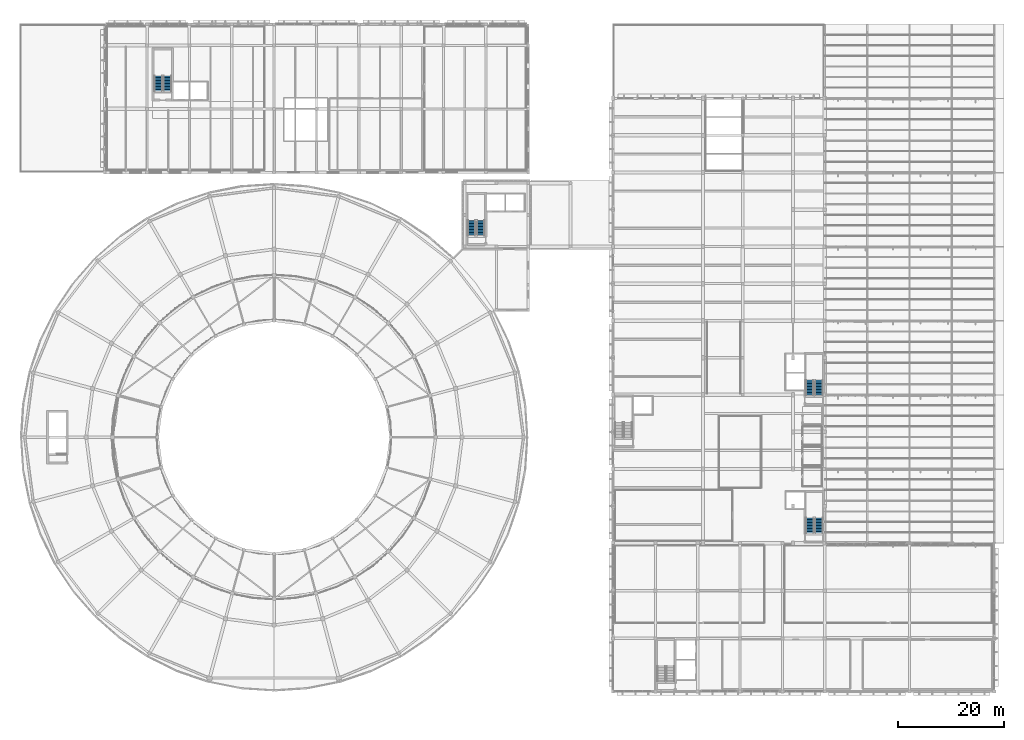
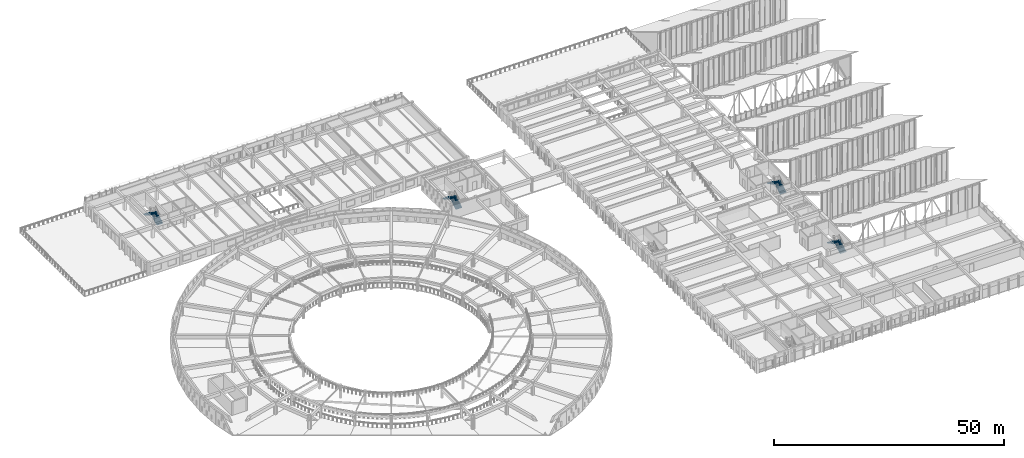
# One storey, part 126 of 155: 8 stair flights, 4 elements without a shape of their own.
"""IFC4 building model written with IfcOpenShell, lengths in metres."""

from ifc_helpers import new_model, si_unit, direction, frame, origin, place, context, subcontext, project, spatial, polyline, outline, extrude, material, type_object, element, aggregate, save


model = new_model("IFC4")

# Units and contexts
model_context = context("Model", 3, precision=1e-05, world=origin(), true_north=direction((0.0, 1.0)))
body_context = subcontext(model_context, "Body", "Model", "MODEL_VIEW")
ifc_project = project(units=[si_unit("LENGTHUNIT", "METRE"), si_unit("AREAUNIT", "SQUARE_METRE"), si_unit("VOLUMEUNIT", "CUBIC_METRE"), si_unit("PLANEANGLEUNIT", "RADIAN"), si_unit("MASSUNIT", "GRAM", prefix="KILO")], contexts=[model_context])

# Site, building, storey
site_placement = place(None, origin())
site = spatial("IfcSite", under=ifc_project, at=site_placement, CompositionType="ELEMENT")
building_placement = place(site_placement, origin())
building = spatial("IfcBuilding", under=site, at=building_placement, Name="Larkveld Mobility Hub", CompositionType="ELEMENT")
storey_placement = place(building_placement, frame((0.0, 0.0, 8.39990234375)))
storey = spatial("IfcBuildingStorey", under=building, at=storey_placement, Name="L02", CompositionType="ELEMENT", Elevation=8.39990234375)

# Stair, stair flights
ifc_material = material(Name="Concrete C40/50", Category="concrete")
stair_type_1 = type_object("IfcStairType", Name="ST-HT-01", PredefinedType="HALF_TURN_STAIR", material=ifc_material)
stair_1_placement = place(storey_placement, origin())
stair_1 = element("IfcStair", 1, at=stair_1_placement, inside=storey, type_object=stair_type_1, Name="L02 Protected Escape Stair ST1", PredefinedType="HALF_TURN_STAIR")
stair_flight_type_1 = type_object("IfcStairFlightType", Name="SF-HT-01", PredefinedType="STRAIGHT", material=ifc_material)
stair_flight_1_placement = place(storey_placement, frame((150.875, 29.89990234375, 0.0), z_axis=(0.0, 0.0, 1.0), x_axis=(0.0, 1.0, 0.0)))
stair_flight_1 = element("IfcStairFlight", 2, at=stair_flight_1_placement, type_object=stair_flight_type_1, Name="ST1 flight 1", NumberOfRisers=11, NumberOfTreads=10, PredefinedType="STRAIGHT", RiserHeight=0.163636364, TreadLength=0.285, context=body_context, shape_type="SweptSolid", body=[
    extrude(outline(polyline([(0.0, 0.0), (0.0, 0.16357421875), (0.284912109375, 0.16357421875), (0.284912109375, 0.327392578125), (0.570068359375, 0.327392578125), (0.570068359375, 0.490966796875), (0.85498046875, 0.490966796875), (0.85498046875, 0.654541015625), (1.139892578125, 0.654541015625), (1.139892578125, 0.818115234375), (1.425048828125, 0.818115234375), (1.425048828125, 0.98193359375), (1.7099609375, 0.98193359375), (1.7099609375, 1.1455078125), (1.9951171875, 1.1455078125), (1.9951171875, 1.30908203125), (2.280029296875, 1.30908203125), (2.280029296875, 1.47265625), (2.56494140625, 1.47265625), (2.56494140625, 1.636474609375), (2.85009765625, 1.636474609375), (2.85009765625, 1.800048828125), (2.85009765625, 1.45654296875), (0.313232421875, 0.0), (0.0, 0.0)])), frame((0.0, 0.77490234375, 0.0), z_axis=(0.0, -1.0, 0.0), x_axis=(1.0, 0.0, 0.0)), (0.0, 0.0, 1.0), 1.550048828125),
])
stair_flight_2_placement = place(storey_placement, frame((149.175048828125, 32.75, 1.800048828125), z_axis=(0.0, 0.0, 1.0), x_axis=(0.0, -1.0, 0.0)))
stair_flight_2 = element("IfcStairFlight", 3, at=stair_flight_2_placement, type_object=stair_flight_type_1, Name="ST1 flight 2", NumberOfRisers=11, NumberOfTreads=10, PredefinedType="STRAIGHT", RiserHeight=0.163636364, TreadLength=0.285, context=body_context, shape_type="SweptSolid", body=[
    extrude(outline(polyline([(0.0, 0.0), (0.0, 0.16357421875), (0.284912109375, 0.16357421875), (0.284912109375, 0.327392578125), (0.570068359375, 0.327392578125), (0.570068359375, 0.490966796875), (0.85498046875, 0.490966796875), (0.85498046875, 0.654541015625), (1.139892578125, 0.654541015625), (1.139892578125, 0.818115234375), (1.425048828125, 0.818115234375), (1.425048828125, 0.98193359375), (1.7099609375, 0.98193359375), (1.7099609375, 1.1455078125), (1.9951171875, 1.1455078125), (1.9951171875, 1.30908203125), (2.280029296875, 1.30908203125), (2.280029296875, 1.47265625), (2.56494140625, 1.47265625), (2.56494140625, 1.636474609375), (2.85009765625, 1.636474609375), (2.85009765625, 1.800048828125), (2.85009765625, 1.45654296875), (0.313232421875, 0.0), (0.0, 0.0)])), frame((0.0, 0.77490234375, 0.0), z_axis=(0.0, -1.0, 0.0), x_axis=(1.0, 0.0, 0.0)), (0.0, 0.0, 1.0), 1.550048828125),
])
aggregate(stair_1, [stair_flight_1, stair_flight_2])

stair_type_2 = type_object("IfcStairType", Name="ST-HT-02", PredefinedType="HALF_TURN_STAIR", material=ifc_material)
stair_2_placement = place(storey_placement, origin())
stair_2 = element("IfcStair", 4, at=stair_2_placement, inside=storey, type_object=stair_type_2, Name="L02 Protected Escape Stair ST2", PredefinedType="HALF_TURN_STAIR")
stair_flight_type_2 = type_object("IfcStairFlightType", Name="SF-HT-02", PredefinedType="STRAIGHT", material=ifc_material)
stair_flight_3_placement = place(storey_placement, frame((150.8701171875, 55.909912109375, 0.0), z_axis=(0.0, 0.0, 1.0), x_axis=(0.0, 1.0, 0.0)))
stair_flight_3 = element("IfcStairFlight", 5, at=stair_flight_3_placement, type_object=stair_flight_type_2, Name="ST2 flight 1", NumberOfRisers=11, NumberOfTreads=10, PredefinedType="STRAIGHT", RiserHeight=0.163636364, TreadLength=0.285, context=body_context, shape_type="SweptSolid", body=[
    extrude(outline(polyline([(0.0, 0.0), (0.0, 0.16357421875), (0.284912109375, 0.16357421875), (0.284912109375, 0.327392578125), (0.570068359375, 0.327392578125), (0.570068359375, 0.490966796875), (0.85498046875, 0.490966796875), (0.85498046875, 0.654541015625), (1.139892578125, 0.654541015625), (1.139892578125, 0.818115234375), (1.425048828125, 0.818115234375), (1.425048828125, 0.98193359375), (1.7099609375, 0.98193359375), (1.7099609375, 1.1455078125), (1.9951171875, 1.1455078125), (1.9951171875, 1.30908203125), (2.280029296875, 1.30908203125), (2.280029296875, 1.47265625), (2.56494140625, 1.47265625), (2.56494140625, 1.636474609375), (2.85009765625, 1.636474609375), (2.85009765625, 1.800048828125), (2.85009765625, 1.449462890625), (0.32568359375, 0.0), (0.0, 0.0)])), frame((0.0, 0.780029296875, 0.0), z_axis=(0.0, -1.0, 0.0), x_axis=(1.0, 0.0, 0.0)), (0.0, 0.0, 1.0), 1.56005859375),
])
stair_flight_4_placement = place(storey_placement, frame((149.159912109375, 58.760009765625, 1.800048828125), z_axis=(0.0, 0.0, 1.0), x_axis=(0.0, -1.0, 0.0)))
stair_flight_4 = element("IfcStairFlight", 6, at=stair_flight_4_placement, type_object=stair_flight_type_2, Name="ST2 flight 2", NumberOfRisers=11, NumberOfTreads=10, PredefinedType="STRAIGHT", RiserHeight=0.163636364, TreadLength=0.285, context=body_context, shape_type="SweptSolid", body=[
    extrude(outline(polyline([(0.0, 0.0), (0.0, 0.16357421875), (0.284912109375, 0.16357421875), (0.284912109375, 0.327392578125), (0.570068359375, 0.327392578125), (0.570068359375, 0.490966796875), (0.85498046875, 0.490966796875), (0.85498046875, 0.654541015625), (1.139892578125, 0.654541015625), (1.139892578125, 0.818115234375), (1.425048828125, 0.818115234375), (1.425048828125, 0.98193359375), (1.7099609375, 0.98193359375), (1.7099609375, 1.1455078125), (1.9951171875, 1.1455078125), (1.9951171875, 1.30908203125), (2.280029296875, 1.30908203125), (2.280029296875, 1.47265625), (2.56494140625, 1.47265625), (2.56494140625, 1.636474609375), (2.85009765625, 1.636474609375), (2.85009765625, 1.800048828125), (2.85009765625, 1.449462890625), (0.32568359375, 0.0), (0.0, 0.0)])), frame((0.0, 0.780029296875, 0.0), z_axis=(0.0, -1.0, 0.0), x_axis=(1.0, 0.0, 0.0)), (0.0, 0.0, 1.0), 1.56005859375),
])
aggregate(stair_2, [stair_flight_3, stair_flight_4])

stair_type_3 = type_object("IfcStairType", Name="ST-HT-05", PredefinedType="HALF_TURN_STAIR", material=ifc_material)
stair_3_placement = place(storey_placement, origin())
stair_3 = element("IfcStair", 7, at=stair_3_placement, inside=storey, type_object=stair_type_3, Name="L02 Protected Escape Stair ST5", PredefinedType="HALF_TURN_STAIR")
stair_flight_type_3 = type_object("IfcStairFlightType", Name="SF-HT-05", PredefinedType="STRAIGHT", material=ifc_material)
stair_flight_5_placement = place(storey_placement, frame((87.02490234375, 86.10009765625, 0.0), z_axis=(0.0, 0.0, 1.0), x_axis=(0.0, 1.0, 0.0)))
stair_flight_5 = element("IfcStairFlight", 8, at=stair_flight_5_placement, type_object=stair_flight_type_3, Name="ST5 flight 1", NumberOfRisers=11, NumberOfTreads=10, PredefinedType="STRAIGHT", RiserHeight=0.163636364, TreadLength=0.285, context=body_context, shape_type="SweptSolid", body=[
    extrude(outline(polyline([(0.0, 0.0), (0.0, 0.16357421875), (0.284912109375, 0.16357421875), (0.284912109375, 0.327392578125), (0.570068359375, 0.327392578125), (0.570068359375, 0.490966796875), (0.85498046875, 0.490966796875), (0.85498046875, 0.654541015625), (1.139892578125, 0.654541015625), (1.139892578125, 0.818115234375), (1.425048828125, 0.818115234375), (1.425048828125, 0.98193359375), (1.7099609375, 0.98193359375), (1.7099609375, 1.1455078125), (1.9951171875, 1.1455078125), (1.9951171875, 1.30908203125), (2.280029296875, 1.30908203125), (2.280029296875, 1.47265625), (2.56494140625, 1.47265625), (2.56494140625, 1.636474609375), (2.85009765625, 1.636474609375), (2.85009765625, 1.800048828125), (2.85009765625, 1.428955078125), (0.361328125, 0.0), (0.0, 0.0)])), frame((0.0, 0.77490234375, 0.0), z_axis=(0.0, -1.0, 0.0), x_axis=(1.0, 0.0, 0.0)), (0.0, 0.0, 1.0), 1.550048828125),
])
stair_flight_6_placement = place(storey_placement, frame((85.324951171875, 88.949951171875, 1.800048828125), z_axis=(0.0, 0.0, 1.0), x_axis=(0.0, -1.0, 0.0)))
stair_flight_6 = element("IfcStairFlight", 9, at=stair_flight_6_placement, type_object=stair_flight_type_3, Name="ST5 flight 2", NumberOfRisers=11, NumberOfTreads=10, PredefinedType="STRAIGHT", RiserHeight=0.163636364, TreadLength=0.285, context=body_context, shape_type="SweptSolid", body=[
    extrude(outline(polyline([(0.0, 0.0), (0.0, 0.16357421875), (0.284912109375, 0.16357421875), (0.284912109375, 0.327392578125), (0.570068359375, 0.327392578125), (0.570068359375, 0.490966796875), (0.85498046875, 0.490966796875), (0.85498046875, 0.654541015625), (1.139892578125, 0.654541015625), (1.139892578125, 0.818115234375), (1.425048828125, 0.818115234375), (1.425048828125, 0.98193359375), (1.7099609375, 0.98193359375), (1.7099609375, 1.1455078125), (1.9951171875, 1.1455078125), (1.9951171875, 1.30908203125), (2.280029296875, 1.30908203125), (2.280029296875, 1.47265625), (2.56494140625, 1.47265625), (2.56494140625, 1.636474609375), (2.85009765625, 1.636474609375), (2.85009765625, 1.800048828125), (2.85009765625, 1.428955078125), (0.361328125, 0.0), (0.0, 0.0)])), frame((0.0, 0.77490234375, 0.0), z_axis=(0.0, -1.0, 0.0), x_axis=(1.0, 0.0, 0.0)), (0.0, 0.0, 1.0), 1.550048828125),
])
aggregate(stair_3, [stair_flight_5, stair_flight_6])

stair_type_4 = type_object("IfcStairType", Name="ST-HT-06", PredefinedType="HALF_TURN_STAIR", material=ifc_material)
stair_4_placement = place(storey_placement, origin())
stair_4 = element("IfcStair", 10, at=stair_4_placement, inside=storey, type_object=stair_type_4, Name="L02 Protected Escape Stair ST6", PredefinedType="HALF_TURN_STAIR")
stair_flight_type_4 = type_object("IfcStairFlightType", Name="SF-HT-06", PredefinedType="STRAIGHT", material=ifc_material)
stair_flight_7_placement = place(storey_placement, frame((27.824951171875, 113.39990234375, 0.0), z_axis=(0.0, 0.0, 1.0), x_axis=(0.0, 1.0, 0.0)))
stair_flight_7 = element("IfcStairFlight", 11, at=stair_flight_7_placement, type_object=stair_flight_type_4, Name="ST6 flight 1", NumberOfRisers=11, NumberOfTreads=10, PredefinedType="STRAIGHT", RiserHeight=0.163636364, TreadLength=0.285, context=body_context, shape_type="SweptSolid", body=[
    extrude(outline(polyline([(0.0, 0.0), (0.0, 0.16357421875), (0.284912109375, 0.16357421875), (0.284912109375, 0.327392578125), (0.570068359375, 0.327392578125), (0.570068359375, 0.490966796875), (0.85498046875, 0.490966796875), (0.85498046875, 0.654541015625), (1.139892578125, 0.654541015625), (1.139892578125, 0.818115234375), (1.425048828125, 0.818115234375), (1.425048828125, 0.98193359375), (1.7099609375, 0.98193359375), (1.7099609375, 1.1455078125), (1.9951171875, 1.1455078125), (1.9951171875, 1.30908203125), (2.280029296875, 1.30908203125), (2.280029296875, 1.47265625), (2.56494140625, 1.47265625), (2.56494140625, 1.636474609375), (2.85009765625, 1.636474609375), (2.85009765625, 1.800048828125), (2.85009765625, 1.421875), (0.37353515625, 0.0), (0.0, 0.0)])), frame((0.0, 0.77490234375, 0.0), z_axis=(0.0, -1.0, 0.0), x_axis=(1.0, 0.0, 0.0)), (0.0, 0.0, 1.0), 1.550048828125),
])
stair_flight_8_placement = place(storey_placement, frame((26.125, 116.25, 1.800048828125), z_axis=(0.0, 0.0, 1.0), x_axis=(0.0, -1.0, 0.0)))
stair_flight_8 = element("IfcStairFlight", 12, at=stair_flight_8_placement, type_object=stair_flight_type_4, Name="ST6 flight 2", NumberOfRisers=11, NumberOfTreads=10, PredefinedType="STRAIGHT", RiserHeight=0.163636364, TreadLength=0.285, context=body_context, shape_type="SweptSolid", body=[
    extrude(outline(polyline([(0.0, 0.0), (0.0, 0.16357421875), (0.284912109375, 0.16357421875), (0.284912109375, 0.327392578125), (0.570068359375, 0.327392578125), (0.570068359375, 0.490966796875), (0.85498046875, 0.490966796875), (0.85498046875, 0.654541015625), (1.139892578125, 0.654541015625), (1.139892578125, 0.818115234375), (1.425048828125, 0.818115234375), (1.425048828125, 0.98193359375), (1.7099609375, 0.98193359375), (1.7099609375, 1.1455078125), (1.9951171875, 1.1455078125), (1.9951171875, 1.30908203125), (2.280029296875, 1.30908203125), (2.280029296875, 1.47265625), (2.56494140625, 1.47265625), (2.56494140625, 1.636474609375), (2.85009765625, 1.636474609375), (2.85009765625, 1.800048828125), (2.85009765625, 1.421875), (0.37353515625, 0.0), (0.0, 0.0)])), frame((0.0, 0.77490234375, 0.0), z_axis=(0.0, -1.0, 0.0), x_axis=(1.0, 0.0, 0.0)), (0.0, 0.0, 1.0), 1.550048828125),
])
aggregate(stair_4, [stair_flight_7, stair_flight_8])

save(model, "model.ifc")
